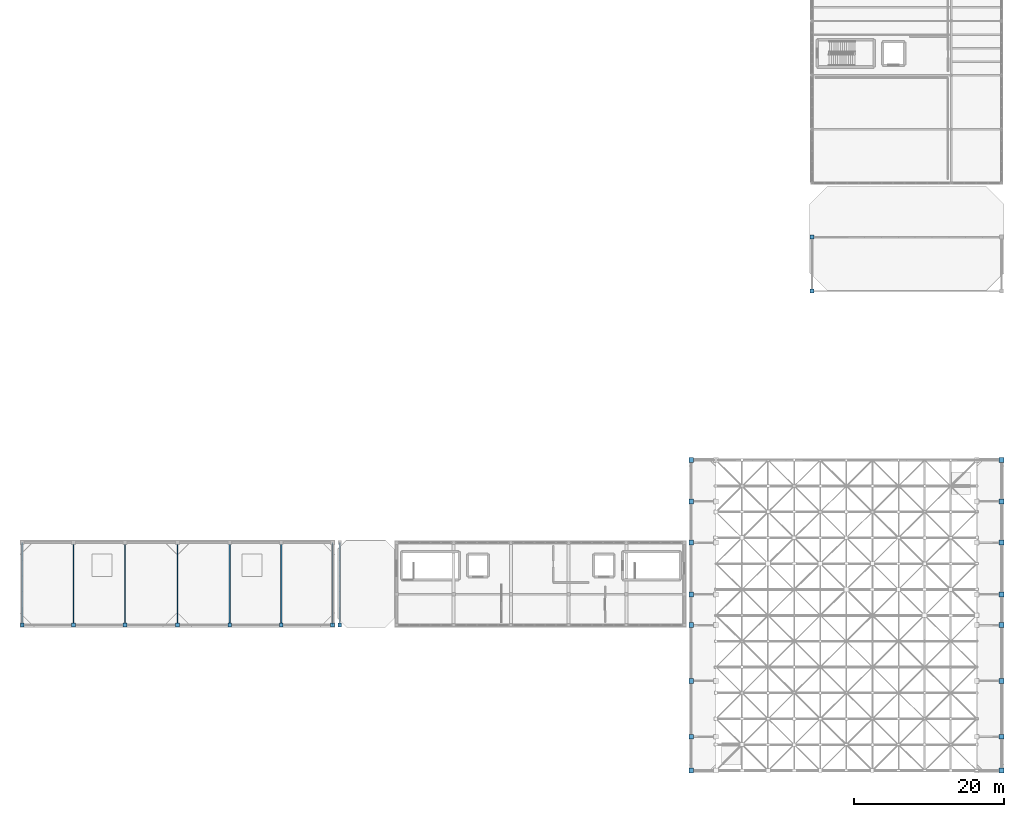
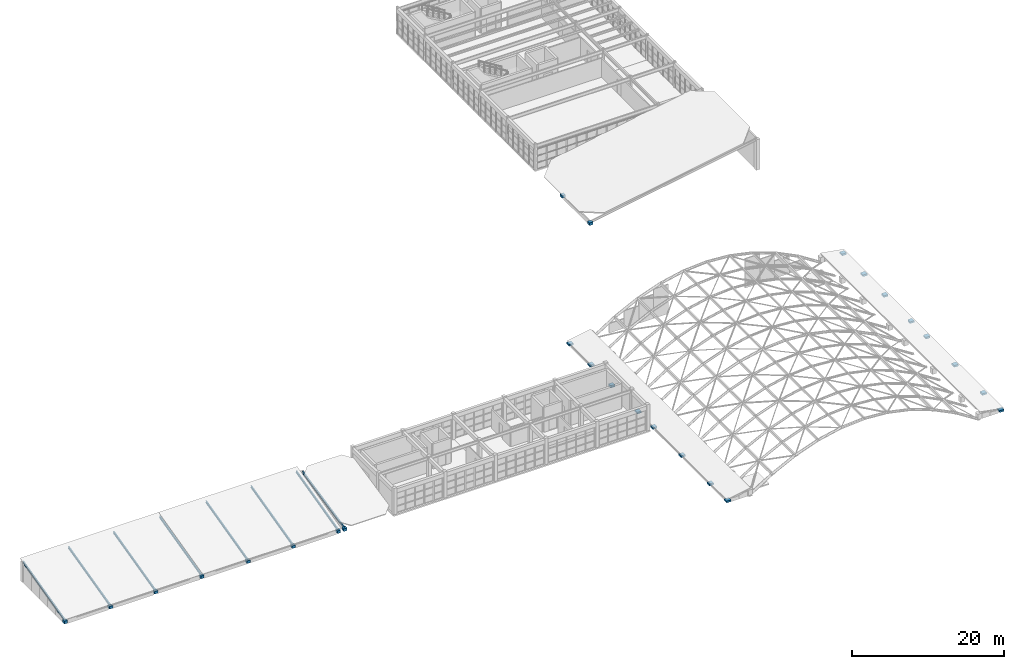
# One storey, part 6 of 52: 26 columns, 8 members.
"""IFC4 building model written with IfcOpenShell, lengths in metres."""

from ifc_helpers import new_model, si_unit, direction, frame, origin, origin_2d, place, context, subcontext, project, spatial, rectangle, i_section, extrude, material, material_profile, profile_set, type_object, element, save


model = new_model("IFC4")

# Units and contexts
model_context = context("Model", 3, precision=1e-05, world=origin(), true_north=direction((0.0, 1.0)))
body_context = subcontext(model_context, "Body", "Model", "MODEL_VIEW")
ifc_project = project(units=[si_unit("LENGTHUNIT", "METRE"), si_unit("AREAUNIT", "SQUARE_METRE"), si_unit("VOLUMEUNIT", "CUBIC_METRE"), si_unit("PLANEANGLEUNIT", "RADIAN"), si_unit("MASSUNIT", "GRAM", prefix="KILO")], contexts=[model_context])

# Site, building, storey
site_placement = place(None, origin())
site = spatial("IfcSite", under=ifc_project, at=site_placement, CompositionType="ELEMENT")
building_placement = place(site_placement, origin())
building = spatial("IfcBuilding", under=site, at=building_placement, Name="Candilejo Ridge Gondola Terminal", CompositionType="ELEMENT")
storey_placement = place(building_placement, frame((0.0, 0.0, 18.60009765625)))
storey = spatial("IfcBuildingStorey", under=building, at=storey_placement, Name="L04", CompositionType="ELEMENT", Elevation=18.60009765625)

# Columns
ifc_material_1 = material(Name="Concrete f'c 35 MPa (C35/45)", Category="concrete")
ifc_material_profile_1 = material_profile(ifc_material_1, rectangle(XDim=0.5, YDim=0.5, at=origin_2d()))
ifc_profile_set_1 = profile_set([ifc_material_profile_1], Name="Concrete f'c 35 MPa (C35/45)")
column_type_1 = type_object("IfcColumnType", Name="STR-COL-RC500", PredefinedType="COLUMN", material=ifc_profile_set_1)
for number, where, z_axis, x_axis, name in (
    (1, (44.64990234375, 25.699951171875, 0.0), (0.0, 0.0, 1.0), (1.0, 0.0, 0.0), "Roof ridge column RF-V2-WEST-01-S"),
    (2, (51.5, 25.699951171875, 0.0), (0.0, 0.0, 1.0), (1.0, 0.0, 0.0), "Roof ridge column RF-V2-WEST-02-S"),
    (3, (58.35009765625, 25.699951171875, 0.0), (0.0, 0.0, 1.0), (1.0, 0.0, 0.0), "Roof ridge column RF-V2-WEST-03-S"),
    (4, (65.35009765625, 25.699951171875, 0.0), (0.0, 0.0, 1.0), (1.0, 0.0, 0.0), "Roof ridge column RF-V2-WEST-04-S"),
    (5, (72.35009765625, 25.699951171875, 0.0), (0.0, 0.0, 1.0), (1.0, 0.0, 0.0), "Roof ridge column RF-V2-EAST-01-S"),
    (6, (79.199951171875, 25.699951171875, 0.0), (0.0, 0.0, 1.0), (1.0, 0.0, 0.0), "Roof ridge column RF-V2-EAST-02-S"),
    (7, (86.050048828125, 25.699951171875, 0.0), (0.0, 0.0, 1.0), (1.0, 0.0, 0.0), "Roof ridge column RF-V2-EAST-03-S"),
):
    element("IfcColumn", number, at=place(storey_placement, frame(where, z_axis=z_axis, x_axis=x_axis)), inside=storey, type_object=column_type_1, Name=name, PredefinedType="COLUMN", context=body_context, shape_type="SweptSolid", body=[
        extrude(rectangle(XDim=0.5, YDim=0.5, at=origin_2d()), origin(), (0.0, 0.0, 1.0), 0.4267578125),
    ])
column_placement = place(storey_placement, frame((87.0, 25.699951171875, 0.0), z_axis=(0.0, 0.0, 1.0), x_axis=(1.0, 0.0, 0.0)))
element("IfcColumn", 8, at=column_placement, inside=storey, type_object=column_type_1, Name="Roof ridge column RF-V3-STEP-01-S", PredefinedType="COLUMN", context=body_context, shape_type="SweptSolid", body=[
    extrude(rectangle(XDim=0.5, YDim=0.5, at=origin_2d()), origin(), (0.0, 0.0, 1.0), 0.4326171875),
])
ifc_material_2 = material(Name="Concrete f'c 35 MPa (C35/45)", Category="concrete")
ifc_material_profile_2 = material_profile(ifc_material_2, rectangle(XDim=0.550048828125, YDim=0.550048828125, at=origin_2d()))
ifc_profile_set_2 = profile_set([ifc_material_profile_2], Name="Concrete f'c 35 MPa (C35/45)")
column_type_2 = type_object("IfcColumnType", Name="STR-COL-RC550", PredefinedType="COLUMN", material=ifc_profile_set_2)
for number, where, z_axis, x_axis, name in (
    (9, (150.0, 70.25, 0.0), (0.0, 0.0, 1.0), (1.0, 0.0, 0.0), "Roof ridge post RF-V5-MID1-01-W"),
    (10, (150.0, 77.449951171875, 0.0), (0.0, 0.0, 1.0), (1.0, 0.0, 0.0), "Roof ridge post RF-V5-MID1-02-W"),
):
    element("IfcColumn", number, at=place(storey_placement, frame(where, z_axis=z_axis, x_axis=x_axis)), inside=storey, type_object=column_type_2, Name=name, PredefinedType="COLUMN", context=body_context, shape_type="SweptSolid", body=[
        extrude(rectangle(XDim=0.550048828125, YDim=0.550048828125, at=origin_2d()), origin(), (0.0, 0.0, 1.0), 0.407470703125),
    ])
ifc_material_3 = material(Name="Concrete f'c 35 MPa (C35/45)", Category="concrete")
ifc_material_profile_3 = material_profile(ifc_material_3, rectangle(XDim=0.64990234375, YDim=0.64990234375, at=origin_2d()))
ifc_profile_set_3 = profile_set([ifc_material_profile_3], Name="Concrete f'c 35 MPa (C35/45)")
column_type_3 = type_object("IfcColumnType", Name="STR-COL-RC650", PredefinedType="COLUMN", material=ifc_profile_set_3)
for number, where, z_axis, x_axis, name in (
    (11, (133.89990234375, 6.300048828125, 0.0), (0.0, 0.0, 1.0), (1.0, 0.0, 0.0), "Roof ridge post RF-V4-WEST-01-W"),
    (12, (133.89990234375, 10.800048828125, 0.0), (0.0, 0.0, 1.0), (1.0, 0.0, 0.0), "Roof ridge post RF-V4-WEST-02-W"),
    (13, (133.89990234375, 18.25, 0.0), (0.0, 0.0, 1.0), (1.0, 0.0, 0.0), "Roof ridge post RF-V4-WEST-03-W"),
    (14, (133.89990234375, 25.699951171875, 0.0), (0.0, 0.0, 1.0), (1.0, 0.0, 0.0), "Roof ridge post RF-V4-WEST-04-W"),
    (15, (133.89990234375, 29.800048828125, 0.0), (0.0, 0.0, 1.0), (1.0, 0.0, 0.0), "Roof ridge post RF-V4-WEST-05-W"),
    (16, (133.89990234375, 36.699951171875, 0.0), (0.0, 0.0, 1.0), (1.0, 0.0, 0.0), "Roof ridge post RF-V4-WEST-06-W"),
    (17, (133.89990234375, 42.199951171875, 0.0), (0.0, 0.0, 1.0), (1.0, 0.0, 0.0), "Roof ridge post RF-V4-WEST-07-W"),
    (18, (133.89990234375, 47.699951171875, 0.0), (0.0, 0.0, 1.0), (1.0, 0.0, 0.0), "Roof ridge post RF-V4-WEST-08-W"),
    (19, (175.300048828125, 6.300048828125, 0.0), (0.0, 0.0, 1.0), (1.0, 0.0, 0.0), "Roof ridge post RF-V4-EAST-01-E"),
    (20, (175.300048828125, 10.800048828125, 0.0), (0.0, 0.0, 1.0), (1.0, 0.0, 0.0), "Roof ridge post RF-V4-EAST-02-E"),
    (21, (175.300048828125, 18.25, 0.0), (0.0, 0.0, 1.0), (1.0, 0.0, 0.0), "Roof ridge post RF-V4-EAST-03-E"),
    (22, (175.300048828125, 25.699951171875, 0.0), (0.0, 0.0, 1.0), (1.0, 0.0, 0.0), "Roof ridge post RF-V4-EAST-04-E"),
    (23, (175.300048828125, 29.800048828125, 0.0), (0.0, 0.0, 1.0), (1.0, 0.0, 0.0), "Roof ridge post RF-V4-EAST-05-E"),
    (24, (175.300048828125, 36.699951171875, 0.0), (0.0, 0.0, 1.0), (1.0, 0.0, 0.0), "Roof ridge post RF-V4-EAST-06-E"),
    (25, (175.300048828125, 42.199951171875, 0.0), (0.0, 0.0, 1.0), (1.0, 0.0, 0.0), "Roof ridge post RF-V4-EAST-07-E"),
    (26, (175.300048828125, 47.699951171875, 0.0), (0.0, 0.0, 1.0), (1.0, 0.0, 0.0), "Roof ridge post RF-V4-EAST-08-E"),
):
    element("IfcColumn", number, at=place(storey_placement, frame(where, z_axis=z_axis, x_axis=x_axis)), inside=storey, type_object=column_type_3, Name=name, PredefinedType="COLUMN", context=body_context, shape_type="SweptSolid", body=[
        extrude(rectangle(XDim=0.64990234375, YDim=0.64990234375, at=origin_2d()), origin(), (0.0, 0.0, 1.0), 0.281494140625),
    ])

# Members
ifc_material_4 = material(Name="Steel ASTM A992 Grade 50", Category="steel")
ifc_material_profile_4 = material_profile(ifc_material_4, i_section(OverallWidth=0.1708984375, OverallDepth=0.35498046875, WebThickness=0.007080078125, FlangeThickness=0.01171875, at=origin_2d()))
ifc_profile_set_4 = profile_set([ifc_material_profile_4], Name="Steel ASTM A992 Grade 50")
member_type = type_object("IfcMemberType", Name="STR-RAF-W360", PredefinedType="RAFTER", material=ifc_profile_set_4)
for number, where, z_axis, x_axis, name in (
    (27, (44.64990234375, 25.699951171875, 0.3466796875), (0.0, 0.970294323448, 0.241927521964), (-1.0, 0.0, 0.0), "Shed roof rafter RF-V2-WEST-01"),
    (28, (51.5, 25.699951171875, 0.3466796875), (0.0, 0.970294323448, 0.241927521964), (-1.0, 0.0, 0.0), "Shed roof rafter RF-V2-WEST-02"),
    (29, (58.35009765625, 25.699951171875, 0.3466796875), (0.0, 0.970294323448, 0.241927521964), (-1.0, 0.0, 0.0), "Shed roof rafter RF-V2-WEST-03"),
    (30, (65.35009765625, 25.699951171875, 0.3466796875), (0.0, 0.970294323448, 0.241927521964), (-1.0, 0.0, 0.0), "Shed roof rafter RF-V2-WEST-04"),
    (31, (72.35009765625, 25.699951171875, 0.3466796875), (0.0, 0.970294323448, 0.241927521964), (-1.0, 0.0, 0.0), "Shed roof rafter RF-V2-EAST-01"),
    (32, (79.199951171875, 25.699951171875, 0.3466796875), (0.0, 0.970294323448, 0.241927521964), (-1.0, 0.0, 0.0), "Shed roof rafter RF-V2-EAST-02"),
    (33, (86.050048828125, 25.699951171875, 0.3466796875), (0.0, 0.970294323448, 0.241927521964), (-1.0, 0.0, 0.0), "Shed roof rafter RF-V2-EAST-03"),
):
    element("IfcMember", number, at=place(storey_placement, frame(where, z_axis=z_axis, x_axis=x_axis)), inside=storey, type_object=member_type, Name=name, PredefinedType="RAFTER", context=body_context, shape_type="SweptSolid", body=[
        extrude(i_section(OverallWidth=0.1708984375, OverallDepth=0.35498046875, WebThickness=0.007080078125, FlangeThickness=0.01171875, at=origin_2d()), origin(), (0.0, 0.0, 1.0), 11.336669921875),
    ])
member_placement = place(storey_placement, frame((87.0, 25.699951171875, 0.3525390625), z_axis=(0.0, 0.978147373105, 0.207912761724), x_axis=(-1.0, 0.0, 0.0)))
element("IfcMember", 34, at=member_placement, inside=storey, type_object=member_type, Name="Shed roof rafter RF-V3-STEP-01", PredefinedType="RAFTER", context=body_context, shape_type="SweptSolid", body=[
    extrude(i_section(OverallWidth=0.1708984375, OverallDepth=0.35498046875, WebThickness=0.007080078125, FlangeThickness=0.01171875, at=origin_2d()), origin(), (0.0, 0.0, 1.0), 11.245849609375),
])

save(model, "model.ifc")
